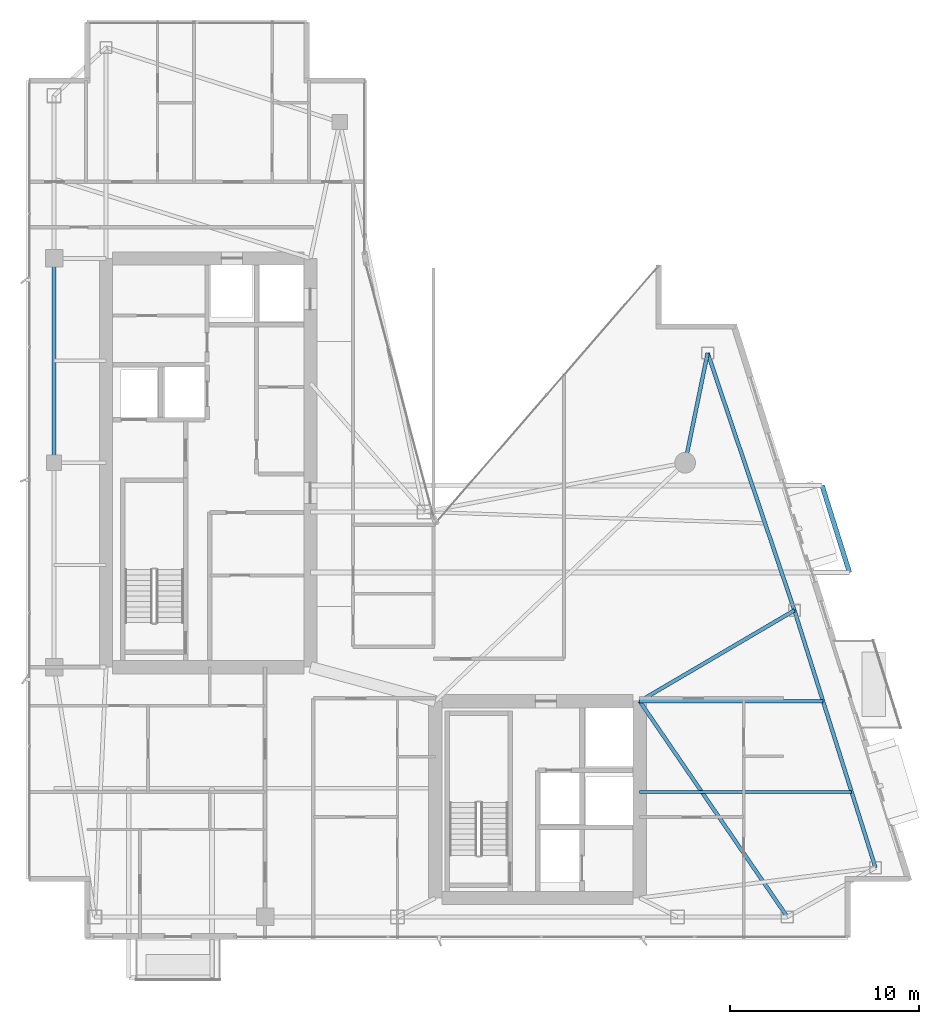
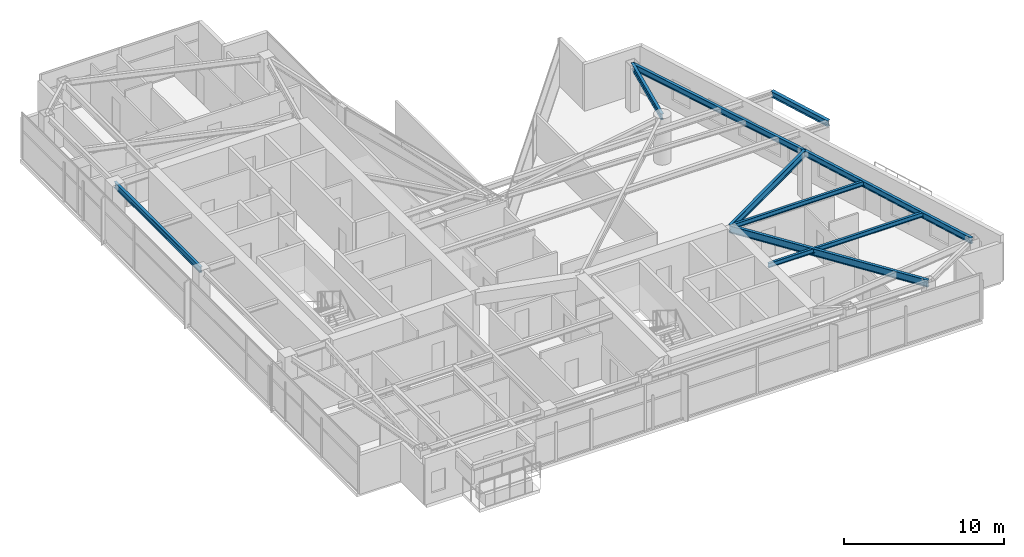
# One storey, part 15 of 29: 9 beams.
"""IFC4 building model written with IfcOpenShell, lengths in metres."""

import ifcopenshell
import ifcopenshell.guid

model = None  # the IFC model being written
_history = None  # IfcOwnerHistory: only IFC2X3 demands one
_inside = {}  # id of a spatial element -> (the spatial element, [elements in it])
_under = {}  # id of a project, library or spatial element -> (it, [spatial elements below it])
_declared = {}  # id of a project -> (the project, [libraries it declares])
_typed = {}  # id of a type object -> (the type object, [elements of that type])
_made_of = {}  # id of a material, layer set ... -> (it, [elements and type objects made of it])


def new_model(schema):
    """Start an empty IFC model of exactly this schema.

    Asked for "IFC4X3", IfcOpenShell would pick the latest addendum, in which some entities
    have other attributes; the version numbers below select the first issue.
    IFC2X3 requires an IfcOwnerHistory on every rooted entity: one is made here for all.
    """
    global model, _history
    if schema == "IFC4X3":
        model = ifcopenshell.file(schema_version=(4, 3, 0, 0))
    else:
        model = ifcopenshell.file(schema=schema)
    _inside.clear()
    _under.clear()
    _declared.clear()
    _typed.clear()
    _made_of.clear()
    _history = None
    if model.schema == "IFC2X3":
        org = make("IfcOrganization", Name="unknown")
        user = make(
            "IfcPersonAndOrganization",
            ThePerson=make("IfcPerson", FamilyName="unknown"),
            TheOrganization=org,
        )
        app = make(
            "IfcApplication",
            ApplicationDeveloper=org,
            Version="unknown",
            ApplicationFullName="unknown",
            ApplicationIdentifier="unknown",
        )
        _history = make(
            "IfcOwnerHistory",
            OwningUser=user,
            OwningApplication=app,
            ChangeAction="ADDED",
            CreationDate=0,
        )
    return model


def make(cls, **values):
    """One entity of the class cls with the attributes given. An attribute that is None is left unset."""
    return model.create_entity(
        cls, **{name: value for name, value in values.items() if value is not None}
    )


def rooted(cls, **values):
    """An entity with a GlobalId (a new one), such as an element, a storey or a relation."""
    return make(cls, GlobalId=ifcopenshell.guid.new(), OwnerHistory=_history, **values)


def si_unit(unit_type, name, prefix=None):
    """IfcSIUnit, for example si_unit("LENGTHUNIT", "METRE", prefix="MILLI")."""
    return make("IfcSIUnit", UnitType=unit_type, Prefix=prefix, Name=name)


def assignment(units):
    """IfcUnitAssignment: the units of a project."""
    return None if units is None else make("IfcUnitAssignment", Units=units)


def point(xyz):
    """IfcCartesianPoint."""
    return None if xyz is None else make("IfcCartesianPoint", Coordinates=xyz)


def direction(xyz):
    """IfcDirection."""
    return None if xyz is None else make("IfcDirection", DirectionRatios=xyz)


def frame(location, z_axis=None, x_axis=None):
    """IfcAxis2Placement3D, a coordinate frame: its origin and axes. An axis left out is left unset."""
    return make(
        "IfcAxis2Placement3D",
        Location=point(location),
        Axis=direction(z_axis),
        RefDirection=direction(x_axis),
    )


def frame_2d(location, x_axis=None):
    """IfcAxis2Placement2D, a coordinate frame in the plane: its origin and x axis."""
    return make(
        "IfcAxis2Placement2D", Location=point(location), RefDirection=direction(x_axis)
    )


def origin():
    """The frame at (0, 0, 0) with its axes left unset."""
    return frame((0.0, 0.0, 0.0))


def origin_2d():
    """The frame at (0, 0) in the plane with its x axis left unset."""
    return frame_2d((0.0, 0.0))


def place(relative_to, where):
    """IfcLocalPlacement: puts the frame where relative to a parent placement (None: the world)."""
    return make(
        "IfcLocalPlacement", PlacementRelTo=relative_to, RelativePlacement=where
    )


def context(
    kind, dimensions, precision=None, world=None, true_north=None, identifier=None
):
    """IfcGeometricRepresentationContext, for example the 3D "Model" context."""
    return make(
        "IfcGeometricRepresentationContext",
        ContextIdentifier=identifier,
        ContextType=kind,
        CoordinateSpaceDimension=dimensions,
        Precision=precision,
        WorldCoordinateSystem=world,
        TrueNorth=true_north,
    )


def subcontext(parent, identifier, kind, view, scale=None):
    """IfcGeometricRepresentationSubContext, for example "Body" below "Model"."""
    return make(
        "IfcGeometricRepresentationSubContext",
        ContextIdentifier=identifier,
        ContextType=kind,
        ParentContext=parent,
        TargetScale=scale,
        TargetView=view,
    )


def project(units=None, contexts=None):
    """IfcProject with its units and contexts."""
    return rooted(
        "IfcProject",
        Name="project",
        RepresentationContexts=contexts,
        UnitsInContext=assignment(units),
    )


def spatial(cls, under=None, at=None, **own):
    """A site, building, storey or space (cls), placed at a placement, below another one or the project."""
    s = rooted(cls, ObjectPlacement=at, **own)
    if under is not None:
        _under.setdefault(under.id(), (under, []))[1].append(s)
    return s


def profile(cls, at=None, kind="AREA", **sizes):
    """A parametric profile (cls). Its sizes go by their IFC names, for example OverallWidth=200.0."""
    return make(cls, ProfileType=kind, Position=at, **sizes)


def i_section(**sizes):
    """IfcIShapeProfileDef."""
    return profile("IfcIShapeProfileDef", **sizes)


def extrude(swept, where, along, depth):
    """IfcExtrudedAreaSolid: the profile swept, set in the frame where, extruded along a direction by depth."""
    return make(
        "IfcExtrudedAreaSolid",
        SweptArea=swept,
        Position=where,
        ExtrudedDirection=direction(along),
        Depth=depth,
    )


def shape(context_of_items, identifier, shape_type, items):
    """IfcShapeRepresentation: the items that make up one representation, for example the "Body"."""
    return make(
        "IfcShapeRepresentation",
        ContextOfItems=context_of_items,
        RepresentationIdentifier=identifier,
        RepresentationType=shape_type,
        Items=items,
    )


def material(Name=None, Category=None):
    """IfcMaterial."""
    return make("IfcMaterial", Name=Name, Category=Category)


def material_profile(
    of_material, cross_section, Name=None, Category=None, Priority=None
):
    """IfcMaterialProfile: a cross section and its material."""
    return make(
        "IfcMaterialProfile",
        Name=Name,
        Material=of_material,
        Profile=cross_section,
        Priority=Priority,
        Category=Category,
    )


def profile_set(profiles, Name=None, composite=None):
    """IfcMaterialProfileSet."""
    return make(
        "IfcMaterialProfileSet",
        Name=Name,
        MaterialProfiles=profiles,
        CompositeProfile=composite,
    )


def made_of(thing, what):
    """Note that an element or type object is made of a material, layer set ...; save() writes the relation."""
    if what is not None:
        _made_of.setdefault(what.id(), (what, []))[1].append(thing)
    return thing


def type_object(cls, material=None, **own):
    """A type object (cls), such as IfcWallType, which elements share."""
    return made_of(rooted(cls, **own), material)


def element(
    cls,
    number,
    at=None,
    inside=None,
    cuts=None,
    type_object=None,
    material=None,
    context=None,
    identifier="Body",
    shape_type=None,
    held_by="IfcProductDefinitionShape",
    body=None,
    shapes=None,
    **own,
):
    """One element of the class cls, such as IfcWall. Its Tag is "e" and its number.

    at: its placement. inside: the storey or other place that contains it. cuts: it is an
    opening in that element (IfcRelVoidsElement). A single representation is given by context,
    identifier, shape_type and body (its items); several are given by shapes. held_by: the class
    of the entity that holds the representations. save() writes the other relations.
    """
    e = rooted(cls, Tag="e%d" % number, ObjectPlacement=at, **own)
    if body is not None:
        shapes = [shape(context, identifier, shape_type, body)]
    if shapes is not None:
        e.Representation = make(held_by, Representations=shapes)
    if inside is not None:
        _inside.setdefault(inside.id(), (inside, []))[1].append(e)
    if cuts is not None:
        rooted(
            "IfcRelVoidsElement", RelatingBuildingElement=cuts, RelatedOpeningElement=e
        )
    if type_object is not None:
        _typed.setdefault(type_object.id(), (type_object, []))[1].append(e)
    return made_of(e, material)


def aggregate(whole, parts):
    """IfcRelAggregates: a whole, such as a stair, and the parts it consists of."""
    return rooted("IfcRelAggregates", RelatingObject=whole, RelatedObjects=parts)


def save(model, path):
    """Write the relations noted so far, then the file.

    IfcRelAggregates (storeys below a building ...), IfcRelContainedInSpatialStructure (elements
    in a storey), IfcRelDefinesByType, IfcRelAssociatesMaterial and IfcRelDeclares: one each for
    every whole, place, type object, material and project.
    """
    for whole, parts in _under.values():
        aggregate(whole, parts)
    for where, things in _inside.values():
        rooted(
            "IfcRelContainedInSpatialStructure",
            RelatedElements=things,
            RelatingStructure=where,
        )
    for kind, things in _typed.values():
        rooted("IfcRelDefinesByType", RelatedObjects=things, RelatingType=kind)
    for what, things in _made_of.values():
        rooted("IfcRelAssociatesMaterial", RelatedObjects=things, RelatingMaterial=what)
    for by, libraries in _declared.values():
        rooted("IfcRelDeclares", RelatingContext=by, RelatedDefinitions=libraries)
    model.write(path)


model = new_model("IFC4")

# Units and contexts
model_context = context("Model", 3, precision=1e-05, world=origin(), true_north=direction((0.0, 1.0)))
body_context = subcontext(model_context, "Body", "Model", "MODEL_VIEW")
ifc_project = project(units=[si_unit("LENGTHUNIT", "METRE"), si_unit("AREAUNIT", "SQUARE_METRE"), si_unit("VOLUMEUNIT", "CUBIC_METRE"), si_unit("PLANEANGLEUNIT", "RADIAN"), si_unit("MASSUNIT", "GRAM", prefix="KILO")], contexts=[model_context])

# Site, building, storey
site_placement = place(None, origin())
site = spatial("IfcSite", under=ifc_project, at=site_placement, CompositionType="ELEMENT")
building_placement = place(site_placement, origin())
building = spatial("IfcBuilding", under=site, at=building_placement, Name="Calvorn Quay Hotel", CompositionType="ELEMENT")
storey_placement = place(building_placement, frame((0.0, 0.0, 251.39990234375)))
storey = spatial("IfcBuildingStorey", under=building, at=storey_placement, Name="L62", CompositionType="ELEMENT", Elevation=251.39990234375)

# Beams
ifc_material_1 = material(Name="Steel Q355B", Category="steel")
ifc_material_profile_1 = material_profile(ifc_material_1, i_section(OverallWidth=0.25, OverallDepth=0.449951171875, WebThickness=0.011962890625, FlangeThickness=0.01611328125, FilletRadius=0.01611328125, at=origin_2d()), Name="HN450x250x12x16")
ifc_profile_set_1 = profile_set([ifc_material_profile_1], Name="Steel Q355B")
beam_type_1 = type_object("IfcBeamType", Name="BM-CANT-BALC", PredefinedType="BEAM", material=ifc_profile_set_1)
beam_1_placement = place(storey_placement, frame((43.486083984375, 21.800048828125, 3.315185546875), z_axis=(-0.300450487966, 0.953797412599, 0.0), x_axis=(-0.953797412599, -0.300450487966, 0.0)))
element("IfcBeam", 1, at=beam_1_placement, inside=storey, type_object=beam_type_1, Name="Beam BCBO-L63-1", PredefinedType="BEAM", context=body_context, shape_type="SweptSolid", body=[
    extrude(i_section(OverallWidth=0.25, OverallDepth=0.449951171875, WebThickness=0.011962890625, FlangeThickness=0.01611328125, FilletRadius=0.01611328125, at=origin_2d()), origin(), (0.0, 0.0, 1.0), 4.82275390625),
])
ifc_material_2 = material(Name="Steel Q355B", Category="steel")
ifc_material_profile_2 = material_profile(ifc_material_2, i_section(OverallWidth=0.199951171875, OverallDepth=0.550048828125, WebThickness=0.010009765625, FlangeThickness=0.01611328125, FilletRadius=0.01806640625, at=origin_2d()), Name="HN550x200x10x16")
ifc_profile_set_2 = profile_set([ifc_material_profile_2], Name="Steel Q355B")
beam_type_2 = type_object("IfcBeamType", Name="BM-GIRD-UPP", PredefinedType="BEAM", material=ifc_profile_set_2)
beam_2_placement = place(storey_placement, frame((32.39990234375, 15.0, 3.26513671875), z_axis=(0.862366169926, 0.506285086653, 0.0), x_axis=(-0.506285086653, 0.862366169926, 0.0)))
element("IfcBeam", 2, at=beam_2_placement, inside=storey, type_object=beam_type_2, Name="Beam BG-L62-E2", PredefinedType="BEAM", context=body_context, shape_type="SweptSolid", body=[
    extrude(i_section(OverallWidth=0.199951171875, OverallDepth=0.550048828125, WebThickness=0.010009765625, FlangeThickness=0.01611328125, FilletRadius=0.01806640625, at=origin_2d()), origin(), (0.0, 0.0, 1.0), 9.48095703125),
])
beam_3_placement = place(storey_placement, frame((40.199951171875, 3.60009765625, 3.26513671875), z_axis=(-0.564689618177, 0.825303359452, 0.0), x_axis=(-0.825303359452, -0.564689618177, 0.0)))
element("IfcBeam", 3, at=beam_3_placement, inside=storey, type_object=beam_type_2, Name="Beam BG-L62-E6", PredefinedType="BEAM", context=body_context, shape_type="SweptSolid", body=[
    extrude(i_section(OverallWidth=0.199951171875, OverallDepth=0.550048828125, WebThickness=0.010009765625, FlangeThickness=0.01611328125, FilletRadius=0.01806640625, at=origin_2d()), origin(), (0.0, 0.0, 1.0), 13.81298828125),
])
ifc_material_3 = material(Name="Steel Q355B", Category="steel")
ifc_material_profile_3 = material_profile(ifc_material_3, i_section(OverallWidth=0.175048828125, OverallDepth=0.35009765625, WebThickness=0.007080078125, FlangeThickness=0.010986328125, FilletRadius=0.013916015625, at=origin_2d()), Name="HN350x175x7x11")
ifc_profile_set_3 = profile_set([ifc_material_profile_3], Name="Steel Q355B")
beam_type_3 = type_object("IfcBeamType", Name="BM-JOIST-SEC", PredefinedType="JOIST", material=ifc_profile_set_3)
beam_4_placement = place(storey_placement, frame((32.39990234375, 10.199951171875, 3.364990234375), z_axis=(1.0, 0.0, 0.0), x_axis=(0.0, 1.0, 0.0)))
element("IfcBeam", 4, at=beam_4_placement, inside=storey, type_object=beam_type_3, Name="Beam BJ-L62-E1", PredefinedType="JOIST", context=body_context, shape_type="SweptSolid", body=[
    extrude(i_section(OverallWidth=0.175048828125, OverallDepth=0.35009765625, WebThickness=0.007080078125, FlangeThickness=0.010986328125, FilletRadius=0.013916015625, at=origin_2d()), origin(), (0.0, 0.0, 1.0), 11.201171875),
])
beam_5_placement = place(storey_placement, frame((32.39990234375, 15.0, 3.364990234375), z_axis=(1.0, 0.0, 0.0), x_axis=(0.0, 1.0, 0.0)))
element("IfcBeam", 5, at=beam_5_placement, inside=storey, type_object=beam_type_3, Name="Beam BJ-L62-E2", PredefinedType="JOIST", context=body_context, shape_type="SweptSolid", body=[
    extrude(i_section(OverallWidth=0.175048828125, OverallDepth=0.35009765625, WebThickness=0.007080078125, FlangeThickness=0.010986328125, FilletRadius=0.013916015625, at=origin_2d()), origin(), (0.0, 0.0, 1.0), 9.68798828125),
])
ifc_material_4 = material(Name="Steel Q355B", Category="steel")
ifc_material_profile_4 = material_profile(ifc_material_4, i_section(OverallWidth=0.199951171875, OverallDepth=0.449951171875, WebThickness=0.009033203125, FlangeThickness=0.013916015625, FilletRadius=0.01611328125, at=origin_2d()), Name="HN450x200x9x14")
ifc_profile_set_4 = profile_set([ifc_material_profile_4], Name="Steel Q355B")
beam_type_4 = type_object("IfcBeamType", Name="BM-SPANDREL-Z3", PredefinedType="SPANDREL", material=ifc_profile_set_4)
beam_6_placement = place(storey_placement, frame((1.449951171875, 27.60009765625, 3.315185546875), z_axis=(0.0, 1.0, 0.0), x_axis=(-1.0, 0.0, 0.0)))
element("IfcBeam", 6, at=beam_6_placement, inside=storey, type_object=beam_type_4, Name="Beam BSP-L62-W3", PredefinedType="SPANDREL", context=body_context, shape_type="SweptSolid", body=[
    extrude(i_section(OverallWidth=0.199951171875, OverallDepth=0.449951171875, WebThickness=0.009033203125, FlangeThickness=0.013916015625, FilletRadius=0.01611328125, at=origin_2d()), origin(), (0.0, 0.0, 1.0), 10.7998046875),
])
beam_7_placement = place(storey_placement, frame((44.861083984375, 6.199951171875, 3.315185546875), z_axis=(-0.300518378216, 0.953776024208, 0.0), x_axis=(-0.953776024208, -0.300518378216, 0.0)))
element("IfcBeam", 7, at=beam_7_placement, inside=storey, type_object=beam_type_4, Name="Beam BSP-L62-E1", PredefinedType="SPANDREL", context=body_context, shape_type="SweptSolid", body=[
    extrude(i_section(OverallWidth=0.199951171875, OverallDepth=0.449951171875, WebThickness=0.009033203125, FlangeThickness=0.013916015625, FilletRadius=0.01611328125, at=origin_2d()), origin(), (0.0, 0.0, 1.0), 14.25927734375),
])
beam_8_placement = place(storey_placement, frame((40.575927734375, 19.800048828125, 3.315185546875), z_axis=(-0.319466515944, 0.947597564998, 0.0), x_axis=(-0.947597564998, -0.319466515944, 0.0)))
element("IfcBeam", 8, at=beam_8_placement, inside=storey, type_object=beam_type_4, Name="Beam BSP-L62-E2", PredefinedType="SPANDREL", context=body_context, shape_type="SweptSolid", body=[
    extrude(i_section(OverallWidth=0.199951171875, OverallDepth=0.449951171875, WebThickness=0.009033203125, FlangeThickness=0.013916015625, FilletRadius=0.01611328125, at=origin_2d()), origin(), (0.0, 0.0, 1.0), 14.35205078125),
])
beam_9_placement = place(storey_placement, frame((35.990966796875, 33.39990234375, 3.315185546875), z_axis=(-0.201140971716, -0.979562305061, 0.0), x_axis=(0.979562305061, -0.201140971716, 0.0)))
element("IfcBeam", 9, at=beam_9_placement, inside=storey, type_object=beam_type_4, Name="Beam BSP-L62-E3", PredefinedType="SPANDREL", context=body_context, shape_type="SweptSolid", body=[
    extrude(i_section(OverallWidth=0.199951171875, OverallDepth=0.449951171875, WebThickness=0.009033203125, FlangeThickness=0.013916015625, FilletRadius=0.01611328125, at=origin_2d()), origin(), (0.0, 0.0, 1.0), 5.9208984375),
])

save(model, "model.ifc")
